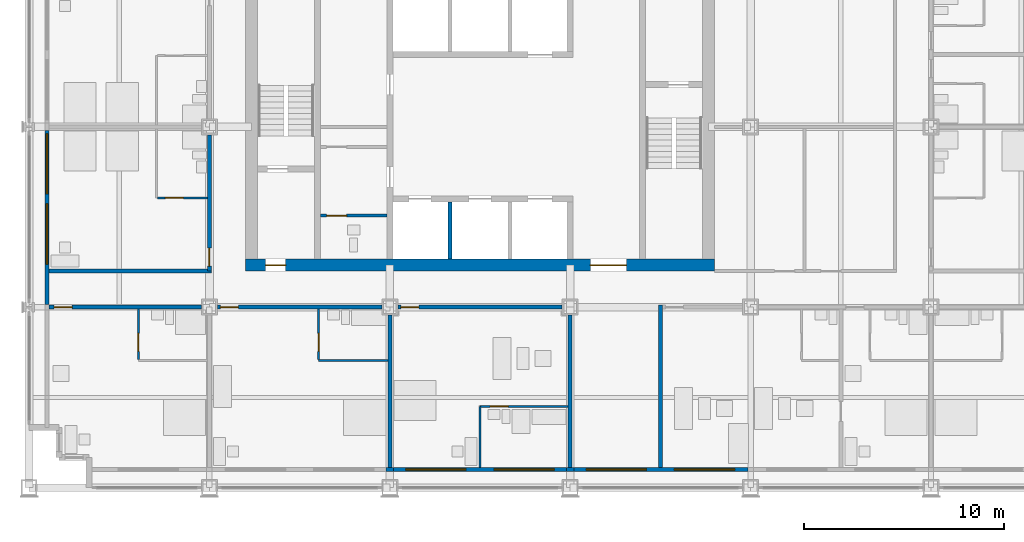
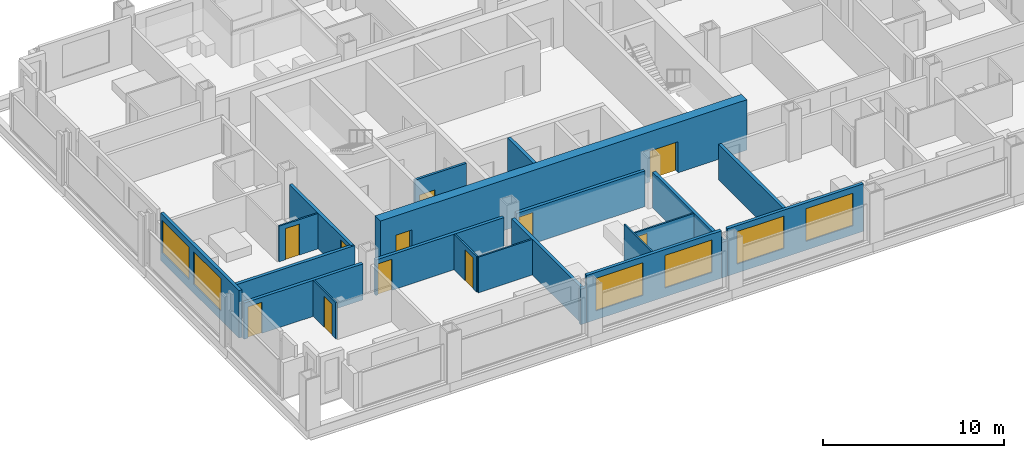
# One storey, part 10 of 18: 22 walls, 11 doors, 6 windows, 17 openings.
"""IFC4 building model written with IfcOpenShell, lengths in metres."""

from ifc_helpers import new_model, si_unit, direction, frame, frame_2d, origin, place, context, subcontext, project, spatial, rectangle, extrude, material, layer, layer_set, type_object, element, fill, save


model = new_model("IFC4")

# Units and contexts
model_context = context("Model", 3, precision=1e-05, world=origin(), true_north=direction((0.0, 1.0)))
body_context = subcontext(model_context, "Body", "Model", "MODEL_VIEW")
ifc_project = project(units=[si_unit("LENGTHUNIT", "METRE"), si_unit("AREAUNIT", "SQUARE_METRE"), si_unit("VOLUMEUNIT", "CUBIC_METRE"), si_unit("PLANEANGLEUNIT", "RADIAN"), si_unit("MASSUNIT", "GRAM", prefix="KILO")], contexts=[model_context])

# Site, building, storey
site_placement = place(None, origin())
site = spatial("IfcSite", under=ifc_project, at=site_placement, CompositionType="ELEMENT")
building_placement = place(site_placement, origin())
building = spatial("IfcBuilding", under=site, at=building_placement, Name="Loomwork Tower", CompositionType="ELEMENT")
storey_placement = place(building_placement, frame((0.0, 0.0, 72.199951171875)))
storey = spatial("IfcBuildingStorey", under=building, at=storey_placement, Name="L18", CompositionType="ELEMENT", Elevation=72.199951171875)

# Wall, openings, doors
ifc_material_1 = material(Name="Concrete 14000 psi (97 MPa)", Category="concrete")
ifc_layer_1 = layer(ifc_material_1, 0.60009765625)
ifc_layer_set_1 = layer_set([ifc_layer_1], Name="Core shear wall 600")
wall_type_1 = type_object("IfcWallType", Name="Core shear wall 600", PredefinedType="SHEAR", material=ifc_layer_set_1)
wall_1_placement = place(storey_placement, frame((10.800048828125, 11.10009765625, 0.0), z_axis=(0.0, 0.0, 1.0), x_axis=(1.0, 0.0, 0.0)))
wall_1 = element("IfcWall", 1, at=wall_1_placement, inside=storey, type_object=wall_type_1, Name="Core wall south L18", PredefinedType="SHEAR", context=body_context, shape_type="SweptSolid", body=[
    extrude(rectangle(XDim=23.39990234375, YDim=0.60009765625, at=frame_2d((11.699951171875, 0.0))), origin(), (0.0, 0.0, 1.0), 3.400146484375),
])
opening_1_placement = place(wall_1_placement, frame((1.0, 0.0, 0.0)))
opening_1 = element("IfcOpeningElement", 2, at=opening_1_placement, cuts=wall_1, Name="Opening D4", PredefinedType="OPENING", context=body_context, shape_type="SweptSolid", body=[
    extrude(rectangle(XDim=1.0, YDim=2.10009765625, at=frame_2d((0.5, 1.050048828125))), frame((0.0, 0.31005859375, 0.0), z_axis=(0.0, -1.0, 0.0), x_axis=(1.0, 0.0, 0.0)), (0.0, 0.0, 1.0), 0.6201171875),
])
opening_2_placement = place(wall_1_placement, frame((17.199951171875, 0.0, 0.0)))
opening_2 = element("IfcOpeningElement", 3, at=opening_2_placement, cuts=wall_1, Name="Opening D6", PredefinedType="OPENING", context=body_context, shape_type="SweptSolid", body=[
    extrude(rectangle(XDim=1.800048828125, YDim=2.10009765625, at=frame_2d((0.89990234375, 1.050048828125))), frame((0.0, 0.31005859375, 0.0), z_axis=(0.0, -1.0, 0.0), x_axis=(1.0, 0.0, 0.0)), (0.0, 0.0, 1.0), 0.6201171875),
])
ifc_material_2 = material(Name="Hollow metal door and frame")
door_type_1 = type_object("IfcDoorType", Name="Lobby passage double door 1800", OperationType="DOUBLE_DOOR_SINGLE_SWING", PredefinedType="DOOR", material=ifc_material_2)
door_1_placement = place(opening_2_placement, origin())
door_1 = element("IfcDoor", 4, at=door_1_placement, inside=storey, type_object=door_type_1, Name="Lobby passage door south", OperationType="DOUBLE_DOOR_SINGLE_SWING", OverallHeight=2.10009765625, OverallWidth=1.800048828125, PredefinedType="DOOR", context=body_context, shape_type="SweptSolid", body=[
    extrude(rectangle(XDim=1.800048828125, YDim=2.10009765625, at=frame_2d((0.89990234375, 1.050048828125))), frame((0.0, 0.02490234375, 0.0), z_axis=(0.0, -1.0, 0.0), x_axis=(1.0, 0.0, 0.0)), (0.0, 0.0, 1.0), 0.050048828125),
])
fill(opening_2, door_1)
ifc_material_3 = material(Name="Hollow metal door and frame")
door_type_2 = type_object("IfcDoorType", Name="Stair door 1000", OperationType="SINGLE_SWING_RIGHT", PredefinedType="DOOR", material=ifc_material_3)
door_2_placement = place(opening_1_placement, origin())
door_2 = element("IfcDoor", 5, at=door_2_placement, inside=storey, type_object=door_type_2, Name="Stair A vestibule door", OperationType="SINGLE_SWING_LEFT", OverallHeight=2.10009765625, OverallWidth=1.0, PredefinedType="DOOR", context=body_context, shape_type="SweptSolid", body=[
    extrude(rectangle(XDim=1.0, YDim=2.10009765625, at=frame_2d((0.5, 1.050048828125))), frame((0.0, 0.02490234375, 0.0), z_axis=(0.0, -1.0, 0.0), x_axis=(1.0, 0.0, 0.0)), (0.0, 0.0, 1.0), 0.050048828125),
])
fill(opening_1, door_2)

# Wall, opening, door
ifc_material_4 = material(Name="Gypsum board on steel studs, one-hour", Category="steel")
ifc_layer_2 = layer(ifc_material_4, 0.199951171875)
ifc_layer_set_2 = layer_set([ifc_layer_2], Name="Corridor wall 200")
wall_type_2 = type_object("IfcWallType", Name="Corridor wall 200", PredefinedType="PARTITIONING", material=ifc_layer_set_2)
wall_2_placement = place(storey_placement, frame((1.0, 9.0, 0.0), z_axis=(0.0, 0.0, 1.0), x_axis=(1.0, 0.0, 0.0)))
wall_2 = element("IfcWall", 6, at=wall_2_placement, inside=storey, type_object=wall_type_2, Name="South corridor wall 1", PredefinedType="PARTITIONING", context=body_context, shape_type="SweptSolid", body=[
    extrude(rectangle(XDim=7.60009765625, YDim=0.199951171875, at=frame_2d((3.800048828125, 0.0))), origin(), (0.0, 0.0, 1.0), 2.43798828125),
])
opening_3_placement = place(wall_2_placement, frame((0.25, 0.0, 0.0)))
opening_3 = element("IfcOpeningElement", 7, at=opening_3_placement, cuts=wall_2, Name="Opening D1", PredefinedType="OPENING", context=body_context, shape_type="SweptSolid", body=[
    extrude(rectangle(XDim=0.89990234375, YDim=2.10009765625, at=frame_2d((0.449951171875, 1.050048828125))), frame((0.0, 0.10986328125, 0.0), z_axis=(0.0, -1.0, 0.0), x_axis=(1.0, 0.0, 0.0)), (0.0, 0.0, 1.0), 0.219970703125),
])
ifc_material_5 = material(Name="Hollow metal door and frame")
door_type_3 = type_object("IfcDoorType", Name="Guest room entry door 900", OperationType="SINGLE_SWING_LEFT", PredefinedType="DOOR", material=ifc_material_5)
door_3_placement = place(opening_3_placement, frame((0.89990234375, 0.0, 0.0), z_axis=(0.0, 0.0, 1.0), x_axis=(-1.0, 0.0, 0.0)))
door_3 = element("IfcDoor", 8, at=door_3_placement, inside=storey, type_object=door_type_3, Name="Guest room entry door L18 1", OperationType="SINGLE_SWING_RIGHT", OverallHeight=2.10009765625, OverallWidth=0.89990234375, PredefinedType="DOOR", context=body_context, shape_type="SweptSolid", body=[
    extrude(rectangle(XDim=0.89990234375, YDim=2.10009765625, at=frame_2d((0.449951171875, 1.050048828125))), frame((0.0, 0.02490234375, 0.0), z_axis=(0.0, -1.0, 0.0), x_axis=(1.0, 0.0, 0.0)), (0.0, 0.0, 1.0), 0.050048828125),
])
fill(opening_3, door_3)

wall_3_placement = place(storey_placement, frame((9.39990234375, 9.0, 0.0), z_axis=(0.0, 0.0, 1.0), x_axis=(1.0, 0.0, 0.0)))
wall_3 = element("IfcWall", 9, at=wall_3_placement, inside=storey, type_object=wall_type_2, Name="South corridor wall 2", PredefinedType="PARTITIONING", context=body_context, shape_type="SweptSolid", body=[
    extrude(rectangle(XDim=8.2001953125, YDim=0.199951171875, at=frame_2d((4.10009765625, 0.0))), origin(), (0.0, 0.0, 1.0), 2.405029296875),
])
opening_4_placement = place(wall_3_placement, frame((0.14990234375, 0.0, 0.0)))
opening_4 = element("IfcOpeningElement", 10, at=opening_4_placement, cuts=wall_3, Name="Opening D1", PredefinedType="OPENING", context=body_context, shape_type="SweptSolid", body=[
    extrude(rectangle(XDim=0.89990234375, YDim=2.10009765625, at=frame_2d((0.449951171875, 1.050048828125))), frame((0.0, 0.10986328125, 0.0), z_axis=(0.0, -1.0, 0.0), x_axis=(1.0, 0.0, 0.0)), (0.0, 0.0, 1.0), 0.219970703125),
])
door_4_placement = place(opening_4_placement, frame((0.89990234375, 0.0, 0.0), z_axis=(0.0, 0.0, 1.0), x_axis=(-1.0, 0.0, 0.0)))
door_4 = element("IfcDoor", 11, at=door_4_placement, inside=storey, type_object=door_type_3, Name="Guest room entry door L18 2", OperationType="SINGLE_SWING_RIGHT", OverallHeight=2.10009765625, OverallWidth=0.89990234375, PredefinedType="DOOR", context=body_context, shape_type="SweptSolid", body=[
    extrude(rectangle(XDim=0.89990234375, YDim=2.10009765625, at=frame_2d((0.449951171875, 1.050048828125))), frame((0.0, 0.02490234375, 0.0), z_axis=(0.0, -1.0, 0.0), x_axis=(1.0, 0.0, 0.0)), (0.0, 0.0, 1.0), 0.050048828125),
])
fill(opening_4, door_4)

wall_4_placement = place(storey_placement, frame((18.39990234375, 9.0, 0.0), z_axis=(0.0, 0.0, 1.0), x_axis=(1.0, 0.0, 0.0)))
wall_4 = element("IfcWall", 12, at=wall_4_placement, inside=storey, type_object=wall_type_2, Name="South corridor wall 3", PredefinedType="PARTITIONING", context=body_context, shape_type="SweptSolid", body=[
    extrude(rectangle(XDim=8.2001953125, YDim=0.199951171875, at=frame_2d((4.10009765625, 0.0))), origin(), (0.0, 0.0, 1.0), 2.405029296875),
])
opening_5_placement = place(wall_4_placement, frame((0.14990234375, 0.0, 0.0)))
opening_5 = element("IfcOpeningElement", 13, at=opening_5_placement, cuts=wall_4, Name="Opening D1", PredefinedType="OPENING", context=body_context, shape_type="SweptSolid", body=[
    extrude(rectangle(XDim=0.89990234375, YDim=2.10009765625, at=frame_2d((0.449951171875, 1.050048828125))), frame((0.0, 0.10986328125, 0.0), z_axis=(0.0, -1.0, 0.0), x_axis=(1.0, 0.0, 0.0)), (0.0, 0.0, 1.0), 0.219970703125),
])
door_5_placement = place(opening_5_placement, frame((0.89990234375, 0.0, 0.0), z_axis=(0.0, 0.0, 1.0), x_axis=(-1.0, 0.0, 0.0)))
door_5 = element("IfcDoor", 14, at=door_5_placement, inside=storey, type_object=door_type_3, Name="Guest room entry door L18 3", OperationType="SINGLE_SWING_RIGHT", OverallHeight=2.10009765625, OverallWidth=0.89990234375, PredefinedType="DOOR", context=body_context, shape_type="SweptSolid", body=[
    extrude(rectangle(XDim=0.89990234375, YDim=2.10009765625, at=frame_2d((0.449951171875, 1.050048828125))), frame((0.0, 0.02490234375, 0.0), z_axis=(0.0, -1.0, 0.0), x_axis=(1.0, 0.0, 0.0)), (0.0, 0.0, 1.0), 0.050048828125),
])
fill(opening_5, door_5)

wall_5_placement = place(storey_placement, frame((9.0, 10.800048828125, 0.0), z_axis=(0.0, 0.0, 1.0), x_axis=(0.0, 1.0, 0.0)))
wall_5 = element("IfcWall", 15, at=wall_5_placement, inside=storey, type_object=wall_type_2, Name="West corridor wall 1", PredefinedType="PARTITIONING", context=body_context, shape_type="SweptSolid", body=[
    extrude(rectangle(XDim=6.800048828125, YDim=0.199951171875, at=frame_2d((3.39990234375, 0.0))), origin(), (0.0, 0.0, 1.0), 2.405029296875),
])
opening_6_placement = place(wall_5_placement, frame((0.25, 0.0, 0.0)))
opening_6 = element("IfcOpeningElement", 16, at=opening_6_placement, cuts=wall_5, Name="Opening D1", PredefinedType="OPENING", context=body_context, shape_type="SweptSolid", body=[
    extrude(rectangle(XDim=0.89990234375, YDim=2.10009765625, at=frame_2d((0.449951171875, 1.050048828125))), frame((0.0, 0.10986328125, 0.0), z_axis=(0.0, -1.0, 0.0), x_axis=(1.0, 0.0, 0.0)), (0.0, 0.0, 1.0), 0.219970703125),
])
door_6_placement = place(opening_6_placement, origin())
door_6 = element("IfcDoor", 17, at=door_6_placement, inside=storey, type_object=door_type_3, Name="Guest room entry door L18 14", OperationType="SINGLE_SWING_LEFT", OverallHeight=2.10009765625, OverallWidth=0.89990234375, PredefinedType="DOOR", context=body_context, shape_type="SweptSolid", body=[
    extrude(rectangle(XDim=0.89990234375, YDim=2.10009765625, at=frame_2d((0.449951171875, 1.050048828125))), frame((0.0, 0.02490234375, 0.0), z_axis=(0.0, -1.0, 0.0), x_axis=(1.0, 0.0, 0.0)), (0.0, 0.0, 1.0), 0.050048828125),
])
fill(opening_6, door_6)

# Wall
wall_6_placement = place(storey_placement, frame((1.0, 10.800048828125, 0.0), z_axis=(0.0, 0.0, 1.0), x_axis=(1.0, 0.0, 0.0)))
element("IfcWall", 18, at=wall_6_placement, inside=storey, type_object=wall_type_2, Name="West band end wall S", PredefinedType="PARTITIONING", context=body_context, shape_type="SweptSolid", body=[
    extrude(rectangle(XDim=8.10009765625, YDim=0.199951171875, at=frame_2d((4.050048828125, 0.0))), origin(), (0.0, 0.0, 1.0), 2.404052734375),
])

# Wall, opening, door
ifc_material_6 = material(Name="Cement board on steel studs", Category="steel")
ifc_layer_3 = layer(ifc_material_6, 0.10009765625)
ifc_layer_set_3 = layer_set([ifc_layer_3], Name="En-suite partition 100")
wall_type_3 = type_object("IfcWallType", Name="En-suite partition 100", PredefinedType="PARTITIONING", material=ifc_layer_set_3)
wall_7_placement = place(storey_placement, frame((5.449951171875, 8.89990234375, 0.0), z_axis=(0.0, 0.0, 1.0), x_axis=(0.0, -1.0, 0.0)))
wall_7 = element("IfcWall", 19, at=wall_7_placement, inside=storey, type_object=wall_type_3, Name="En-suite side wall L18 room 1", PredefinedType="PARTITIONING", context=body_context, shape_type="SweptSolid", body=[
    extrude(rectangle(XDim=2.5, YDim=0.10009765625, at=frame_2d((1.25, 0.0))), origin(), (0.0, 0.0, 1.0), 2.43798828125),
])
opening_7_placement = place(wall_7_placement, frame((1.199951171875, 0.0, 0.0)))
opening_7 = element("IfcOpeningElement", 20, at=opening_7_placement, cuts=wall_7, Name="Opening D3", PredefinedType="OPENING", context=body_context, shape_type="SweptSolid", body=[
    extrude(rectangle(XDim=0.89990234375, YDim=2.10009765625, at=frame_2d((0.449951171875, 1.050048828125))), frame((0.0, 0.06005859375, 0.0), z_axis=(0.0, -1.0, 0.0), x_axis=(1.0, 0.0, 0.0)), (0.0, 0.0, 1.0), 0.1201171875),
])
ifc_material_7 = material(Name="Hollow metal door and frame")
door_type_4 = type_object("IfcDoorType", Name="Accessible en-suite door 900", OperationType="SLIDING_TO_LEFT", PredefinedType="DOOR", material=ifc_material_7)
door_7_placement = place(opening_7_placement, origin())
door_7 = element("IfcDoor", 21, at=door_7_placement, inside=storey, type_object=door_type_4, Name="Accessible en-suite door room 1", OperationType="SLIDING_TO_LEFT", OverallHeight=2.10009765625, OverallWidth=0.89990234375, PredefinedType="DOOR", context=body_context, shape_type="SweptSolid", body=[
    extrude(rectangle(XDim=0.89990234375, YDim=2.10009765625, at=frame_2d((0.449951171875, 1.050048828125))), frame((0.0, 0.02490234375, 0.0), z_axis=(0.0, -1.0, 0.0), x_axis=(1.0, 0.0, 0.0)), (0.0, 0.0, 1.0), 0.050048828125),
])
fill(opening_7, door_7)

# Wall
wall_8_placement = place(storey_placement, frame((14.449951171875, 6.35009765625, 0.0), z_axis=(0.0, 0.0, 1.0), x_axis=(1.0, 0.0, 0.0)))
element("IfcWall", 22, at=wall_8_placement, inside=storey, type_object=wall_type_3, Name="En-suite wall L18 room 2", PredefinedType="PARTITIONING", context=body_context, shape_type="SweptSolid", body=[
    extrude(rectangle(XDim=3.449951171875, YDim=0.10009765625, at=frame_2d((1.72509765625, 0.0))), origin(), (0.0, 0.0, 1.0), 2.404052734375),
])

# Wall, opening, door
wall_9_placement = place(storey_placement, frame((14.449951171875, 8.89990234375, 0.0), z_axis=(0.0, 0.0, 1.0), x_axis=(0.0, -1.0, 0.0)))
wall_9 = element("IfcWall", 23, at=wall_9_placement, inside=storey, type_object=wall_type_3, Name="En-suite side wall L18 room 2", PredefinedType="PARTITIONING", context=body_context, shape_type="SweptSolid", body=[
    extrude(rectangle(XDim=2.5, YDim=0.10009765625, at=frame_2d((1.25, 0.0))), origin(), (0.0, 0.0, 1.0), 2.404052734375),
])
opening_8_placement = place(wall_9_placement, frame((1.199951171875, 0.0, 0.0)))
opening_8 = element("IfcOpeningElement", 24, at=opening_8_placement, cuts=wall_9, Name="Opening D2", PredefinedType="OPENING", context=body_context, shape_type="SweptSolid", body=[
    extrude(rectangle(XDim=0.89990234375, YDim=2.10009765625, at=frame_2d((0.449951171875, 1.050048828125))), frame((0.0, 0.06005859375, 0.0), z_axis=(0.0, -1.0, 0.0), x_axis=(1.0, 0.0, 0.0)), (0.0, 0.0, 1.0), 0.1201171875),
])
ifc_material_8 = material(Name="Hollow metal door and frame")
door_type_5 = type_object("IfcDoorType", Name="En-suite door 900", OperationType="SINGLE_SWING_LEFT", PredefinedType="DOOR", material=ifc_material_8)
door_8_placement = place(opening_8_placement, origin())
door_8 = element("IfcDoor", 25, at=door_8_placement, inside=storey, type_object=door_type_5, Name="En-suite door room 2", OperationType="SINGLE_SWING_RIGHT", OverallHeight=2.10009765625, OverallWidth=0.89990234375, PredefinedType="DOOR", context=body_context, shape_type="SweptSolid", body=[
    extrude(rectangle(XDim=0.89990234375, YDim=2.10009765625, at=frame_2d((0.449951171875, 1.050048828125))), frame((0.0, 0.02490234375, 0.0), z_axis=(0.0, -1.0, 0.0), x_axis=(1.0, 0.0, 0.0)), (0.0, 0.0, 1.0), 0.050048828125),
])
fill(opening_8, door_8)

wall_10_placement = place(storey_placement, frame((22.5, 4.050048828125, 0.0), z_axis=(0.0, 0.0, 1.0), x_axis=(1.0, 0.0, 0.0)))
wall_10 = element("IfcWall", 26, at=wall_10_placement, inside=storey, type_object=wall_type_3, Name="Spa bathroom wall L18 room 3", PredefinedType="PARTITIONING", context=body_context, shape_type="SweptSolid", body=[
    extrude(rectangle(XDim=4.39990234375, YDim=0.10009765625, at=frame_2d((2.199951171875, 0.0))), origin(), (0.0, 0.0, 1.0), 2.404052734375),
])
opening_9_placement = place(wall_10_placement, frame((0.5, 0.0, 0.0)))
opening_9 = element("IfcOpeningElement", 27, at=opening_9_placement, cuts=wall_10, Name="Opening D2", PredefinedType="OPENING", context=body_context, shape_type="SweptSolid", body=[
    extrude(rectangle(XDim=0.89990234375, YDim=2.10009765625, at=frame_2d((0.449951171875, 1.050048828125))), frame((0.0, 0.06005859375, 0.0), z_axis=(0.0, -1.0, 0.0), x_axis=(1.0, 0.0, 0.0)), (0.0, 0.0, 1.0), 0.1201171875),
])
door_9_placement = place(opening_9_placement, frame((0.89990234375, 0.0, 0.0), z_axis=(0.0, 0.0, 1.0), x_axis=(-1.0, 0.0, 0.0)))
door_9 = element("IfcDoor", 28, at=door_9_placement, inside=storey, type_object=door_type_5, Name="Spa bathroom door room 3", OperationType="SINGLE_SWING_RIGHT", OverallHeight=2.10009765625, OverallWidth=0.89990234375, PredefinedType="DOOR", context=body_context, shape_type="SweptSolid", body=[
    extrude(rectangle(XDim=0.89990234375, YDim=2.10009765625, at=frame_2d((0.449951171875, 1.050048828125))), frame((0.0, 0.02490234375, 0.0), z_axis=(0.0, -1.0, 0.0), x_axis=(1.0, 0.0, 0.0)), (0.0, 0.0, 1.0), 0.050048828125),
])
fill(opening_9, door_9)

# Wall
wall_11_placement = place(storey_placement, frame((22.5, 4.050048828125, 0.0), z_axis=(0.0, 0.0, 1.0), x_axis=(0.0, -1.0, 0.0)))
element("IfcWall", 29, at=wall_11_placement, inside=storey, type_object=wall_type_3, Name="Spa bathroom side wall L18 room 3", PredefinedType="PARTITIONING", context=body_context, shape_type="SweptSolid", body=[
    extrude(rectangle(XDim=3.050048828125, YDim=0.10009765625, at=frame_2d((1.52490234375, 0.0))), origin(), (0.0, 0.0, 1.0), 3.199951171875),
])

# Wall, opening, door
wall_12_placement = place(storey_placement, frame((8.89990234375, 14.449951171875, 0.0), z_axis=(0.0, 0.0, 1.0), x_axis=(-1.0, 0.0, 0.0)))
wall_12 = element("IfcWall", 30, at=wall_12_placement, inside=storey, type_object=wall_type_3, Name="En-suite side wall L18 room 14", PredefinedType="PARTITIONING", context=body_context, shape_type="SweptSolid", body=[
    extrude(rectangle(XDim=2.5, YDim=0.10009765625, at=frame_2d((1.25, 0.0))), origin(), (0.0, 0.0, 1.0), 2.404052734375),
])
opening_10_placement = place(wall_12_placement, frame((1.199951171875, 0.0, 0.0)))
opening_10 = element("IfcOpeningElement", 31, at=opening_10_placement, cuts=wall_12, Name="Opening D2", PredefinedType="OPENING", context=body_context, shape_type="SweptSolid", body=[
    extrude(rectangle(XDim=0.89990234375, YDim=2.10009765625, at=frame_2d((0.449951171875, 1.050048828125))), frame((0.0, 0.06005859375, 0.0), z_axis=(0.0, -1.0, 0.0), x_axis=(1.0, 0.0, 0.0)), (0.0, 0.0, 1.0), 0.1201171875),
])
door_10_placement = place(opening_10_placement, frame((0.89990234375, 0.0, 0.0), z_axis=(0.0, 0.0, 1.0), x_axis=(-1.0, 0.0, 0.0)))
door_10 = element("IfcDoor", 32, at=door_10_placement, inside=storey, type_object=door_type_5, Name="En-suite door room 14", OperationType="SINGLE_SWING_LEFT", OverallHeight=2.10009765625, OverallWidth=0.89990234375, PredefinedType="DOOR", context=body_context, shape_type="SweptSolid", body=[
    extrude(rectangle(XDim=0.89990234375, YDim=2.10009765625, at=frame_2d((0.449951171875, 1.050048828125))), frame((0.0, 0.02490234375, 0.0), z_axis=(0.0, -1.0, 0.0), x_axis=(1.0, 0.0, 0.0)), (0.0, 0.0, 1.0), 0.050048828125),
])
fill(opening_10, door_10)

# Walls
ifc_material_9 = material(Name="Gypsum board on steel studs, acoustic", Category="steel")
ifc_layer_4 = layer(ifc_material_9, 0.199951171875)
ifc_layer_set_4 = layer_set([ifc_layer_4], Name="Guest room party wall 200")
wall_type_4 = type_object("IfcWallType", Name="Guest room party wall 200", PredefinedType="PARTITIONING", material=ifc_layer_set_4)
for number, where, z_axis, x_axis, name in (
    (33, (18.0, 8.60009765625, 0.0), (0.0, 0.0, 1.0), (0.0, -1.0, 0.0), "Guest room party wall S 18"),
    (34, (27.0, 8.60009765625, 0.0), (0.0, 0.0, 1.0), (0.0, -1.0, 0.0), "Guest room party wall S 27"),
):
    element("IfcWall", number, at=place(storey_placement, frame(where, z_axis=z_axis, x_axis=x_axis)), inside=storey, type_object=wall_type_4, Name=name, PredefinedType="PARTITIONING", context=body_context, shape_type="SweptSolid", body=[
        extrude(rectangle(XDim=7.60009765625, YDim=0.199951171875, at=frame_2d((3.800048828125, 0.0))), origin(), (0.0, 0.0, 1.0), 2.405029296875),
    ])
wall_13_placement = place(storey_placement, frame((31.5, 9.10009765625, 0.0), z_axis=(0.0, 0.0, 1.0), x_axis=(0.0, -1.0, 0.0)))
element("IfcWall", 35, at=wall_13_placement, inside=storey, type_object=wall_type_4, Name="Guest room party wall S 31.5", PredefinedType="PARTITIONING", context=body_context, shape_type="SweptSolid", body=[
    extrude(rectangle(XDim=8.10009765625, YDim=0.199951171875, at=frame_2d((4.050048828125, 0.0))), origin(), (0.0, 0.0, 1.0), 2.404052734375),
])
ifc_material_10 = material(Name="Insulated steel stud wall with gypsum lining", Category="steel")
ifc_layer_5 = layer(ifc_material_10, 0.199951171875)
ifc_layer_set_5 = layer_set([ifc_layer_5], Name="Inner skin wall 200")
wall_type_5 = type_object("IfcWallType", Name="Inner skin wall 200", PredefinedType="SOLIDWALL", material=ifc_layer_set_5)
wall_14_placement = place(storey_placement, frame((17.80615234375, 0.89990234375, 0.0), z_axis=(0.0, 0.0, 1.0), x_axis=(1.0, 0.0, 0.0)))
element("IfcWall", 36, at=wall_14_placement, inside=storey, type_object=wall_type_5, Name="Inner skin wall S bay 4", PredefinedType="SOLIDWALL", context=body_context, shape_type="SweptSolid", body=[
    extrude(rectangle(XDim=0.3876953125, YDim=0.199951171875, at=frame_2d((0.19384765625, 0.0))), origin(), (0.0, 0.0, 1.0), 2.404052734375),
])

# Wall, openings, windows
wall_15_placement = place(storey_placement, frame((18.19384765625, 0.89990234375, 0.0), z_axis=(0.0, 0.0, 1.0), x_axis=(1.0, 0.0, 0.0)))
wall_15 = element("IfcWall", 37, at=wall_15_placement, inside=storey, type_object=wall_type_5, Name="Inner skin wall S bay 5", PredefinedType="SOLIDWALL", context=body_context, shape_type="SweptSolid", body=[
    extrude(rectangle(XDim=8.6123046875, YDim=0.199951171875, at=frame_2d((4.30615234375, 0.0))), origin(), (0.0, 0.0, 1.0), 3.199951171875),
])
opening_11_placement = place(wall_15_placement, frame((0.606201171875, 0.0, 0.60009765625)))
opening_11 = element("IfcOpeningElement", 38, at=opening_11_placement, cuts=wall_15, Name="Opening CH1", PredefinedType="OPENING", context=body_context, shape_type="SweptSolid", body=[
    extrude(rectangle(XDim=3.0, YDim=2.199951171875, at=frame_2d((1.5, 1.10009765625))), frame((0.0, 0.10986328125, 0.0), z_axis=(0.0, -1.0, 0.0), x_axis=(1.0, 0.0, 0.0)), (0.0, 0.0, 1.0), 0.219970703125),
])
opening_12_placement = place(wall_15_placement, frame((5.006103515625, 0.0, 0.60009765625)))
opening_12 = element("IfcOpeningElement", 39, at=opening_12_placement, cuts=wall_15, Name="Opening CH1", PredefinedType="OPENING", context=body_context, shape_type="SweptSolid", body=[
    extrude(rectangle(XDim=3.0, YDim=2.199951171875, at=frame_2d((1.5, 1.10009765625))), frame((0.0, 0.10986328125, 0.0), z_axis=(0.0, -1.0, 0.0), x_axis=(1.0, 0.0, 0.0)), (0.0, 0.0, 1.0), 0.219970703125),
])
ifc_material_11 = material(Name="Aluminium frame with clear insulated glass", Category="aluminium")
window_type = type_object("IfcWindowType", Name="Chicago window 3000", PartitioningType="TRIPLE_PANEL_VERTICAL", PredefinedType="WINDOW", material=ifc_material_11)
window_1_placement = place(opening_11_placement, origin())
window_1 = element("IfcWindow", 40, at=window_1_placement, inside=storey, type_object=window_type, Name="Chicago window L18 bay 3", OverallHeight=2.199951171875, OverallWidth=3.0, PartitioningType="TRIPLE_PANEL_VERTICAL", PredefinedType="WINDOW", context=body_context, shape_type="SweptSolid", body=[
    extrude(rectangle(XDim=3.0, YDim=2.199951171875, at=frame_2d((1.5, 1.10009765625))), frame((0.0, 0.030029296875, 0.0), z_axis=(0.0, -1.0, 0.0), x_axis=(1.0, 0.0, 0.0)), (0.0, 0.0, 1.0), 0.06005859375),
])
fill(opening_11, window_1)
window_2_placement = place(opening_12_placement, origin())
window_2 = element("IfcWindow", 41, at=window_2_placement, inside=storey, type_object=window_type, Name="Chicago window L18 bay 3", OverallHeight=2.199951171875, OverallWidth=3.0, PartitioningType="TRIPLE_PANEL_VERTICAL", PredefinedType="WINDOW", context=body_context, shape_type="SweptSolid", body=[
    extrude(rectangle(XDim=3.0, YDim=2.199951171875, at=frame_2d((1.5, 1.10009765625))), frame((0.0, 0.030029296875, 0.0), z_axis=(0.0, -1.0, 0.0), x_axis=(1.0, 0.0, 0.0)), (0.0, 0.0, 1.0), 0.06005859375),
])
fill(opening_12, window_2)

# Wall
wall_16_placement = place(storey_placement, frame((26.80615234375, 0.89990234375, 0.0), z_axis=(0.0, 0.0, 1.0), x_axis=(1.0, 0.0, 0.0)))
element("IfcWall", 42, at=wall_16_placement, inside=storey, type_object=wall_type_5, Name="Inner skin wall S bay 6", PredefinedType="SOLIDWALL", context=body_context, shape_type="SweptSolid", body=[
    extrude(rectangle(XDim=0.3876953125, YDim=0.199951171875, at=frame_2d((0.19384765625, 0.0))), origin(), (0.0, 0.0, 1.0), 2.404052734375),
])

# Wall, openings, windows
wall_17_placement = place(storey_placement, frame((27.19384765625, 0.89990234375, 0.0), z_axis=(0.0, 0.0, 1.0), x_axis=(1.0, 0.0, 0.0)))
wall_17 = element("IfcWall", 43, at=wall_17_placement, inside=storey, type_object=wall_type_5, Name="Inner skin wall S bay 7", PredefinedType="SOLIDWALL", context=body_context, shape_type="SweptSolid", body=[
    extrude(rectangle(XDim=8.670654296875, YDim=0.199951171875, at=frame_2d((4.33544921875, 0.0))), origin(), (0.0, 0.0, 1.0), 3.199951171875),
])
opening_13_placement = place(wall_17_placement, frame((0.606201171875, 0.0, 0.60009765625)))
opening_13 = element("IfcOpeningElement", 44, at=opening_13_placement, cuts=wall_17, Name="Opening CH1", PredefinedType="OPENING", context=body_context, shape_type="SweptSolid", body=[
    extrude(rectangle(XDim=3.0, YDim=2.199951171875, at=frame_2d((1.5, 1.10009765625))), frame((0.0, 0.10986328125, 0.0), z_axis=(0.0, -1.0, 0.0), x_axis=(1.0, 0.0, 0.0)), (0.0, 0.0, 1.0), 0.219970703125),
])
opening_14_placement = place(wall_17_placement, frame((5.006103515625, 0.0, 0.60009765625)))
opening_14 = element("IfcOpeningElement", 45, at=opening_14_placement, cuts=wall_17, Name="Opening CH1", PredefinedType="OPENING", context=body_context, shape_type="SweptSolid", body=[
    extrude(rectangle(XDim=3.0, YDim=2.199951171875, at=frame_2d((1.5, 1.10009765625))), frame((0.0, 0.10986328125, 0.0), z_axis=(0.0, -1.0, 0.0), x_axis=(1.0, 0.0, 0.0)), (0.0, 0.0, 1.0), 0.219970703125),
])
window_3_placement = place(opening_13_placement, origin())
window_3 = element("IfcWindow", 46, at=window_3_placement, inside=storey, type_object=window_type, Name="Chicago window L18 bay 4", OverallHeight=2.199951171875, OverallWidth=3.0, PartitioningType="TRIPLE_PANEL_VERTICAL", PredefinedType="WINDOW", context=body_context, shape_type="SweptSolid", body=[
    extrude(rectangle(XDim=3.0, YDim=2.199951171875, at=frame_2d((1.5, 1.10009765625))), frame((0.0, 0.030029296875, 0.0), z_axis=(0.0, -1.0, 0.0), x_axis=(1.0, 0.0, 0.0)), (0.0, 0.0, 1.0), 0.06005859375),
])
fill(opening_13, window_3)
window_4_placement = place(opening_14_placement, origin())
window_4 = element("IfcWindow", 47, at=window_4_placement, inside=storey, type_object=window_type, Name="Chicago window L18 bay 4", OverallHeight=2.199951171875, OverallWidth=3.0, PartitioningType="TRIPLE_PANEL_VERTICAL", PredefinedType="WINDOW", context=body_context, shape_type="SweptSolid", body=[
    extrude(rectangle(XDim=3.0, YDim=2.199951171875, at=frame_2d((1.5, 1.10009765625))), frame((0.0, 0.030029296875, 0.0), z_axis=(0.0, -1.0, 0.0), x_axis=(1.0, 0.0, 0.0)), (0.0, 0.0, 1.0), 0.06005859375),
])
fill(opening_14, window_4)

wall_18_placement = place(storey_placement, frame((0.89990234375, 9.13525390625, 0.0), z_axis=(0.0, 0.0, 1.0), x_axis=(0.0, 1.0, 0.0)))
wall_18 = element("IfcWall", 48, at=wall_18_placement, inside=storey, type_object=wall_type_5, Name="Inner skin wall W bay 5", PredefinedType="SOLIDWALL", context=body_context, shape_type="SweptSolid", body=[
    extrude(rectangle(XDim=8.6708984375, YDim=0.199951171875, at=frame_2d((4.33544921875, 0.0))), origin(), (0.0, 0.0, 1.0), 3.199951171875),
])
opening_15_placement = place(wall_18_placement, frame((2.0146484375, 0.0, 0.60009765625)))
opening_15 = element("IfcOpeningElement", 49, at=opening_15_placement, cuts=wall_18, Name="Opening CH1", PredefinedType="OPENING", context=body_context, shape_type="SweptSolid", body=[
    extrude(rectangle(XDim=3.0, YDim=2.199951171875, at=frame_2d((1.5, 1.10009765625))), frame((0.0, 0.10986328125, 0.0), z_axis=(0.0, -1.0, 0.0), x_axis=(1.0, 0.0, 0.0)), (0.0, 0.0, 1.0), 0.219970703125),
])
opening_16_placement = place(wall_18_placement, frame((5.5146484375, 0.0, 0.60009765625)))
opening_16 = element("IfcOpeningElement", 50, at=opening_16_placement, cuts=wall_18, Name="Opening CH1", PredefinedType="OPENING", context=body_context, shape_type="SweptSolid", body=[
    extrude(rectangle(XDim=3.0, YDim=2.199951171875, at=frame_2d((1.5, 1.10009765625))), frame((0.0, 0.10986328125, 0.0), z_axis=(0.0, -1.0, 0.0), x_axis=(1.0, 0.0, 0.0)), (0.0, 0.0, 1.0), 0.219970703125),
])
window_5_placement = place(opening_15_placement, origin())
window_5 = element("IfcWindow", 51, at=window_5_placement, inside=storey, type_object=window_type, Name="Chicago window L18 bay 13", OverallHeight=2.199951171875, OverallWidth=3.0, PartitioningType="TRIPLE_PANEL_VERTICAL", PredefinedType="WINDOW", context=body_context, shape_type="SweptSolid", body=[
    extrude(rectangle(XDim=3.0, YDim=2.199951171875, at=frame_2d((1.5, 1.10009765625))), frame((0.0, 0.030029296875, 0.0), z_axis=(0.0, -1.0, 0.0), x_axis=(1.0, 0.0, 0.0)), (0.0, 0.0, 1.0), 0.06005859375),
])
fill(opening_15, window_5)
window_6_placement = place(opening_16_placement, origin())
window_6 = element("IfcWindow", 52, at=window_6_placement, inside=storey, type_object=window_type, Name="Chicago window L18 bay 13", OverallHeight=2.199951171875, OverallWidth=3.0, PartitioningType="TRIPLE_PANEL_VERTICAL", PredefinedType="WINDOW", context=body_context, shape_type="SweptSolid", body=[
    extrude(rectangle(XDim=3.0, YDim=2.199951171875, at=frame_2d((1.5, 1.10009765625))), frame((0.0, 0.030029296875, 0.0), z_axis=(0.0, -1.0, 0.0), x_axis=(1.0, 0.0, 0.0)), (0.0, 0.0, 1.0), 0.06005859375),
])
fill(opening_16, window_6)

# Wall
ifc_material_12 = material(Name="Concrete 14000 psi (97 MPa)", Category="concrete")
ifc_layer_6 = layer(ifc_material_12, 0.199951171875)
ifc_layer_set_6 = layer_set([ifc_layer_6], Name="Lift shaft wall 200")
wall_type_6 = type_object("IfcWallType", Name="Lift shaft wall 200", PredefinedType="SHEAR", material=ifc_layer_set_6)
wall_19_placement = place(storey_placement, frame((21.0, 11.39990234375, 0.0), z_axis=(0.0, 0.0, 1.0), x_axis=(0.0, 1.0, 0.0)))
element("IfcWall", 53, at=wall_19_placement, inside=storey, type_object=wall_type_6, Name="Lift shaft separation wall south 1 L18", PredefinedType="SHEAR", context=body_context, shape_type="SweptSolid", body=[
    extrude(rectangle(XDim=2.85009765625, YDim=0.199951171875, at=frame_2d((1.425048828125, 0.0))), origin(), (0.0, 0.0, 1.0), 3.400146484375),
])

# Wall, opening, door
ifc_material_13 = material(Name="Gypsum board on steel studs, one-hour", Category="steel")
ifc_layer_7 = layer(ifc_material_13, 0.14990234375)
ifc_layer_set_7 = layer_set([ifc_layer_7], Name="Service partition 150")
wall_type_7 = type_object("IfcWallType", Name="Service partition 150", PredefinedType="PARTITIONING", material=ifc_layer_set_7)
wall_20_placement = place(storey_placement, frame((14.550048828125, 13.574951171875, 0.0), z_axis=(0.0, 0.0, 1.0), x_axis=(1.0, 0.0, 0.0)))
wall_20 = element("IfcWall", 54, at=wall_20_placement, inside=storey, type_object=wall_type_7, Name="Back-of-house partition L18", PredefinedType="PARTITIONING", context=body_context, shape_type="SweptSolid", body=[
    extrude(rectangle(XDim=3.300048828125, YDim=0.14990234375, at=frame_2d((1.64990234375, 0.0))), origin(), (0.0, 0.0, 1.0), 3.199951171875),
])
opening_17_placement = place(wall_20_placement, frame((0.300048828125, 0.0, 0.0)))
opening_17 = element("IfcOpeningElement", 55, at=opening_17_placement, cuts=wall_20, Name="Opening D5", PredefinedType="OPENING", context=body_context, shape_type="SweptSolid", body=[
    extrude(rectangle(XDim=1.0, YDim=2.10009765625, at=frame_2d((0.5, 1.050048828125))), frame((0.0, 0.0849609375, 0.0), z_axis=(0.0, -1.0, 0.0), x_axis=(1.0, 0.0, 0.0)), (0.0, 0.0, 1.0), 0.169921875),
])
ifc_material_14 = material(Name="Hollow metal door and frame")
door_type_6 = type_object("IfcDoorType", Name="Service door 1000", OperationType="SINGLE_SWING_LEFT", PredefinedType="DOOR", material=ifc_material_14)
door_11_placement = place(opening_17_placement, frame((1.0, 0.0, 0.0), z_axis=(0.0, 0.0, 1.0), x_axis=(-1.0, 0.0, 0.0)))
door_11 = element("IfcDoor", 56, at=door_11_placement, inside=storey, type_object=door_type_6, Name="Back-of-house room door", OperationType="SINGLE_SWING_RIGHT", OverallHeight=2.10009765625, OverallWidth=1.0, PredefinedType="DOOR", context=body_context, shape_type="SweptSolid", body=[
    extrude(rectangle(XDim=1.0, YDim=2.10009765625, at=frame_2d((0.5, 1.050048828125))), frame((0.0, 0.02490234375, 0.0), z_axis=(0.0, -1.0, 0.0), x_axis=(1.0, 0.0, 0.0)), (0.0, 0.0, 1.0), 0.050048828125),
])
fill(opening_17, door_11)

save(model, "model.ifc")
